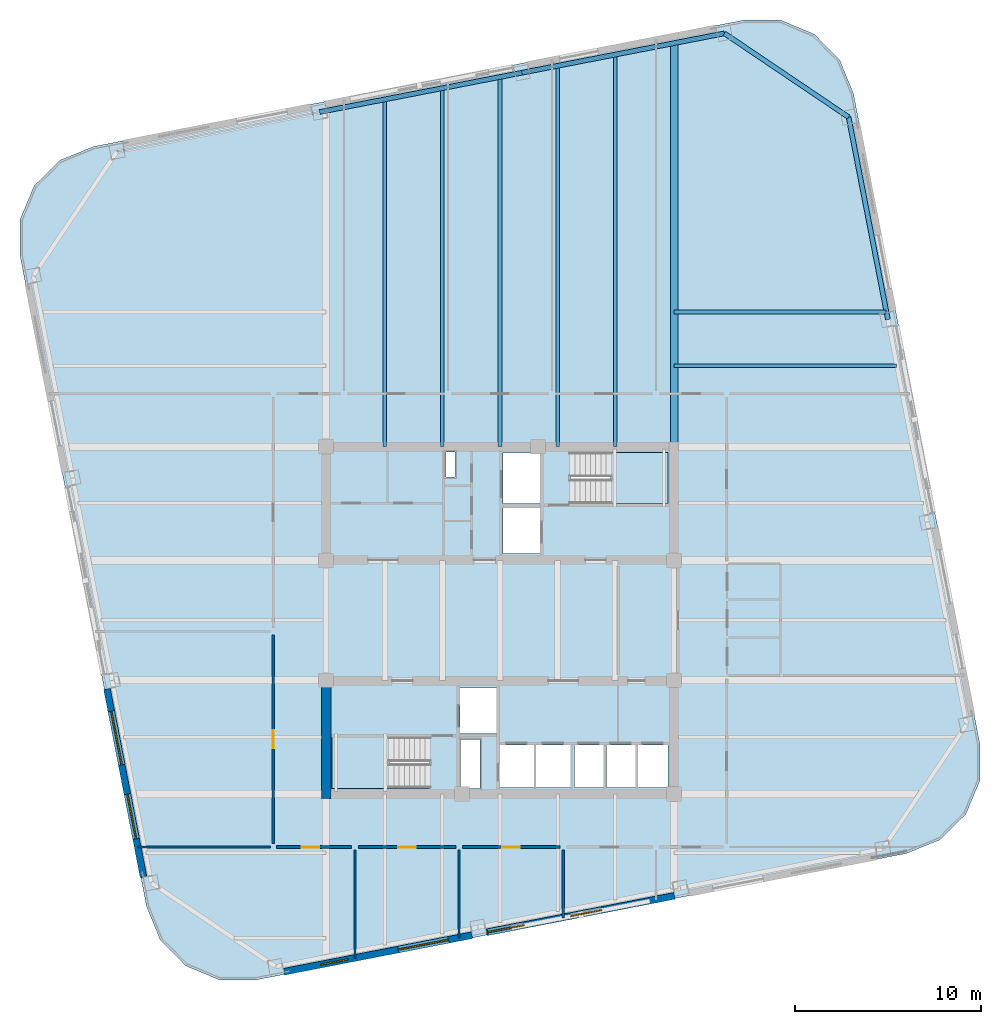
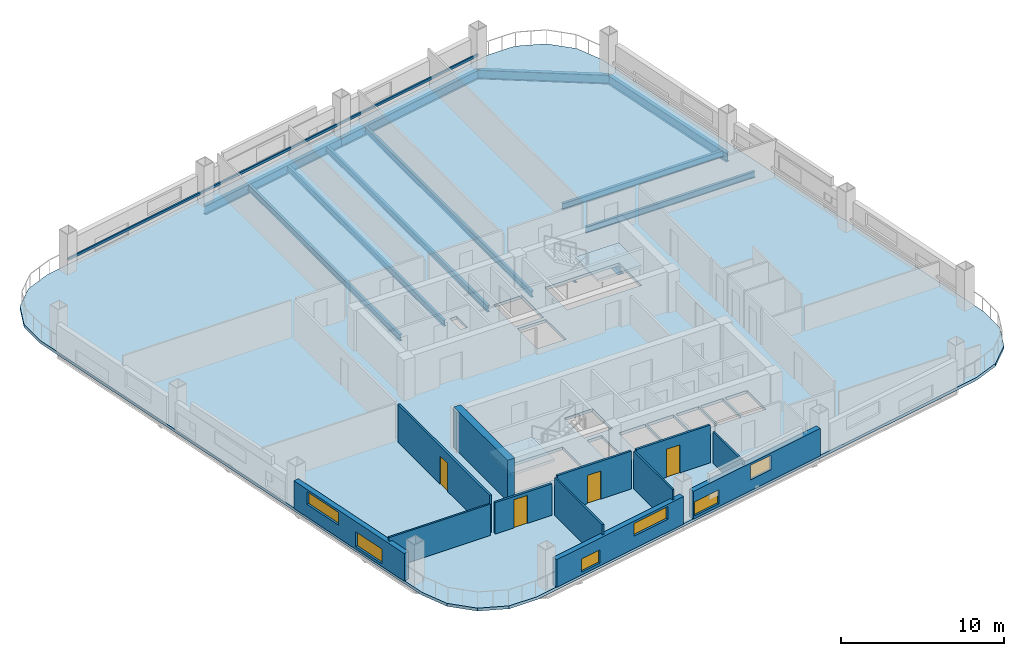
# One storey, part 2 of 9: 12 beams, 12 walls, 6 windows, 4 doors, 3 slabs, 1 member, 10 openings, 2 elements without a shape of their own.
"""IFC4 building model written with IfcOpenShell, lengths in metres."""

from ifc_helpers import new_model, si_unit, direction, frame, frame_2d, origin, origin_2d, place, context, subcontext, project, spatial, polyline, rectangle, hollow_rectangle, i_section, outline, extrude, material, layer, layer_set, material_profile, profile_set, type_object, element, fill, aggregate, save


model = new_model("IFC4")

# Units and contexts
model_context = context("Model", 3, precision=1e-05, world=origin(), true_north=direction((0.0, 1.0)))
body_context = subcontext(model_context, "Body", "Model", "MODEL_VIEW")
ifc_project = project(units=[si_unit("LENGTHUNIT", "METRE"), si_unit("AREAUNIT", "SQUARE_METRE"), si_unit("VOLUMEUNIT", "CUBIC_METRE"), si_unit("PLANEANGLEUNIT", "RADIAN"), si_unit("MASSUNIT", "GRAM", prefix="KILO")], contexts=[model_context])

# Site, building, storey
site_placement = place(None, origin())
site = spatial("IfcSite", under=ifc_project, at=site_placement, CompositionType="ELEMENT")
building_placement = place(site_placement, origin())
building = spatial("IfcBuilding", under=site, at=building_placement, Name="Qhalaya Broadcast Tower", CompositionType="ELEMENT")
storey_placement = place(building_placement, frame((0.0, 0.0, 128.050048828125)))
storey = spatial("IfcBuildingStorey", under=building, at=storey_placement, Name="L37", CompositionType="ELEMENT", Elevation=128.050048828125)

# Beams
ifc_material_1 = material(Name="Structural Steel ASTM A992 Grade 50", Category="steel")
ifc_material_profile_1 = material_profile(ifc_material_1, i_section(OverallWidth=0.19189453125, OverallDepth=0.462890625, WebThickness=0.010498046875, FlangeThickness=0.017578125, at=origin_2d()), Name="W18X60")
ifc_profile_set_1 = profile_set([ifc_material_profile_1], Name="Structural Steel ASTM A992 Grade 50")
beam_type_1 = type_object("IfcBeamType", Name="Composite Floor Joist J03", PredefinedType="JOIST", material=ifc_profile_set_1)
beam_1_placement = place(storey_placement, frame((-6.199951171875, 9.949951171875, -0.45166015625), z_axis=(0.0, 1.0, 0.0), x_axis=(-1.0, 0.0, 0.0)))
element("IfcBeam", 1, at=beam_1_placement, inside=storey, type_object=beam_type_1, Name="L37 J03 L37-JNN1-1", PredefinedType="JOIST", context=body_context, shape_type="SweptSolid", body=[
    extrude(i_section(OverallWidth=0.19189453125, OverallDepth=0.462890625, WebThickness=0.010498046875, FlangeThickness=0.017578125, at=origin_2d()), origin(), (0.0, 0.0, 1.0), 18.6728515625),
])
beam_2_placement = place(storey_placement, frame((-3.10009765625, 9.949951171875, -0.45166015625), z_axis=(0.0, 1.0, 0.0), x_axis=(-1.0, 0.0, 0.0)))
element("IfcBeam", 2, at=beam_2_placement, inside=storey, type_object=beam_type_1, Name="L37 J03 L37-JNN2-1", PredefinedType="JOIST", context=body_context, shape_type="SweptSolid", body=[
    extrude(i_section(OverallWidth=0.19189453125, OverallDepth=0.462890625, WebThickness=0.010498046875, FlangeThickness=0.017578125, at=origin_2d()), origin(), (0.0, 0.0, 1.0), 19.275390625),
])
beam_3_placement = place(storey_placement, frame((0.0, 9.949951171875, -0.45166015625), z_axis=(0.0, 1.0, 0.0), x_axis=(-1.0, 0.0, 0.0)))
element("IfcBeam", 3, at=beam_3_placement, inside=storey, type_object=beam_type_1, Name="L37 J03 L37-JNN3-1", PredefinedType="JOIST", context=body_context, shape_type="SweptSolid", body=[
    extrude(i_section(OverallWidth=0.19189453125, OverallDepth=0.462890625, WebThickness=0.010498046875, FlangeThickness=0.017578125, at=origin_2d()), origin(), (0.0, 0.0, 1.0), 19.8779296875),
])
beam_4_placement = place(storey_placement, frame((3.10009765625, 9.949951171875, -0.45166015625), z_axis=(0.0, 1.0, 0.0), x_axis=(-1.0, 0.0, 0.0)))
element("IfcBeam", 4, at=beam_4_placement, inside=storey, type_object=beam_type_1, Name="L37 J03 L37-JNN4-1", PredefinedType="JOIST", context=body_context, shape_type="SweptSolid", body=[
    extrude(i_section(OverallWidth=0.19189453125, OverallDepth=0.462890625, WebThickness=0.010498046875, FlangeThickness=0.017578125, at=origin_2d()), origin(), (0.0, 0.0, 1.0), 20.480712890625),
])
beam_5_placement = place(storey_placement, frame((6.199951171875, 9.949951171875, -0.45166015625), z_axis=(0.0, 1.0, 0.0), x_axis=(-1.0, 0.0, 0.0)))
element("IfcBeam", 5, at=beam_5_placement, inside=storey, type_object=beam_type_1, Name="L37 J03 L37-JNN5-1", PredefinedType="JOIST", context=body_context, shape_type="SweptSolid", body=[
    extrude(i_section(OverallWidth=0.19189453125, OverallDepth=0.462890625, WebThickness=0.010498046875, FlangeThickness=0.017578125, at=origin_2d()), origin(), (0.0, 0.0, 1.0), 21.083251953125),
])
beam_6_placement = place(storey_placement, frame((9.375, 14.300048828125, -0.45166015625), z_axis=(1.0, 0.0, 0.0), x_axis=(0.0, 1.0, 0.0)))
element("IfcBeam", 6, at=beam_6_placement, inside=storey, type_object=beam_type_1, Name="L37 J03 L37-JWE6E-1", PredefinedType="JOIST", context=body_context, shape_type="SweptSolid", body=[
    extrude(i_section(OverallWidth=0.19189453125, OverallDepth=0.462890625, WebThickness=0.010498046875, FlangeThickness=0.017578125, at=origin_2d()), origin(), (0.0, 0.0, 1.0), 11.969482421875),
])
beam_7_placement = place(storey_placement, frame((9.375, 17.199951171875, -0.45166015625), z_axis=(1.0, 0.0, 0.0), x_axis=(0.0, 1.0, 0.0)))
element("IfcBeam", 7, at=beam_7_placement, inside=storey, type_object=beam_type_1, Name="L37 J03 L37-JWE7E-1", PredefinedType="JOIST", context=body_context, shape_type="SweptSolid", body=[
    extrude(i_section(OverallWidth=0.19189453125, OverallDepth=0.462890625, WebThickness=0.010498046875, FlangeThickness=0.017578125, at=origin_2d()), origin(), (0.0, 0.0, 1.0), 11.40576171875),
])

# Member
ifc_material_2 = material(Name="Fired Architectural Terracotta", Category="masonry")
ifc_material_profile_2 = material_profile(ifc_material_2, hollow_rectangle(XDim=0.110107421875, YDim=0.179931640625, WallThickness=0.01806640625, at=origin_2d()), Name="TB-BAG 110x180x18")
ifc_profile_set_2 = profile_set([ifc_material_profile_2], Name="Fired Architectural Terracotta")
member_type = type_object("IfcMemberType", Name="Fired Terracotta Facade Baguette Member TB1", PredefinedType="USERDEFINED", material=ifc_profile_set_2)
member_placement = place(storey_placement, frame((12.07958984375, 32.1962890625, 0.848876953125), z_axis=(-0.981626873058, -0.190810592185, 0.0), x_axis=(0.190810592185, -0.981626873058, 0.0)))
element("IfcMember", 8, at=member_placement, inside=storey, type_object=member_type, Name="L37 Terracotta Baguette Feature Rail N", ObjectType="BAGUETTE", PredefinedType="USERDEFINED", context=body_context, shape_type="SweptSolid", body=[
    extrude(hollow_rectangle(XDim=0.110107421875, YDim=0.179931640625, WallThickness=0.01806640625, at=origin_2d()), origin(), (0.0, 0.0, 1.0), 33.300048828125),
])

# Beams
ifc_material_profile_3 = material_profile(ifc_material_1, i_section(OverallWidth=0.4189453125, OverallDepth=0.927001953125, WebThickness=0.019287109375, FlangeThickness=0.031982421875, at=origin_2d()), Name="W36X231")
ifc_profile_set_3 = profile_set([ifc_material_profile_3], Name="Structural Steel ASTM A992 Grade 50")
beam_type_2 = type_object("IfcBeamType", Name="Mid Block Primary Girder PG3", PredefinedType="USERDEFINED", material=ifc_profile_set_3)
beam_8_placement = place(storey_placement, frame((9.375, 9.949951171875, -0.68359375), z_axis=(0.0, 1.0, 0.0), x_axis=(-1.0, 0.0, 0.0)))
element("IfcBeam", 9, at=beam_8_placement, inside=storey, type_object=beam_type_2, Name="L37 PG3 L37-PGXN2-1", ObjectType="GIRDER", PredefinedType="USERDEFINED", context=body_context, shape_type="SweptSolid", body=[
    extrude(i_section(OverallWidth=0.4189453125, OverallDepth=0.927001953125, WebThickness=0.019287109375, FlangeThickness=0.031982421875, at=origin_2d()), origin(), (0.0, 0.0, 1.0), 21.7001953125),
])
ifc_material_profile_4 = material_profile(ifc_material_1, i_section(OverallWidth=0.25390625, OverallDepth=0.68310546875, WebThickness=0.012451171875, FlangeThickness=0.01904296875, at=origin_2d()), Name="W27X94")
ifc_profile_set_4 = profile_set([ifc_material_profile_4], Name="Structural Steel ASTM A992 Grade 50")
beam_type_3 = type_object("IfcBeamType", Name="Perimeter Ring Spandrel Beam SP1", PredefinedType="SPANDREL", material=ifc_profile_set_4)
beam_9_placement = place(storey_placement, frame((20.88037109375, 16.79248046875, -0.5615234375), z_axis=(-0.190800781233, 0.98162878008, 0.0), x_axis=(-0.98162878008, -0.190800781233, 0.0)))
element("IfcBeam", 10, at=beam_9_placement, inside=storey, type_object=beam_type_3, Name="L37 SP1 L37-SPR-07", PredefinedType="SPANDREL", context=body_context, shape_type="SweptSolid", body=[
    extrude(i_section(OverallWidth=0.25390625, OverallDepth=0.68310546875, WebThickness=0.012451171875, FlangeThickness=0.01904296875, at=origin_2d()), origin(), (0.0, 0.0, 1.0), 11.10009765625),
])
beam_10_placement = place(storey_placement, frame((18.762451171875, 27.688720703125, -0.5615234375), z_axis=(-0.829042088473, 0.559186208288, 0.0), x_axis=(-0.559186208288, -0.829042088473, 0.0)))
element("IfcBeam", 11, at=beam_10_placement, inside=storey, type_object=beam_type_3, Name="L37 SP1 L37-SPR-08", PredefinedType="SPANDREL", context=body_context, shape_type="SweptSolid", body=[
    extrude(i_section(OverallWidth=0.25390625, OverallDepth=0.68310546875, WebThickness=0.012451171875, FlangeThickness=0.01904296875, at=origin_2d()), origin(), (0.0, 0.0, 1.0), 8.06103515625),
])
beam_11_placement = place(storey_placement, frame((12.07958984375, 32.1962890625, -0.5615234375), z_axis=(-0.98162878008, -0.190800781233, 0.0), x_axis=(0.190800781233, -0.98162878008, 0.0)))
element("IfcBeam", 12, at=beam_11_placement, inside=storey, type_object=beam_type_3, Name="L37 SP1 L37-SPR-09", PredefinedType="SPANDREL", context=body_context, shape_type="SweptSolid", body=[
    extrude(i_section(OverallWidth=0.25390625, OverallDepth=0.68310546875, WebThickness=0.012451171875, FlangeThickness=0.01904296875, at=origin_2d()), origin(), (0.0, 0.0, 1.0), 11.10009765625),
])
beam_12_placement = place(storey_placement, frame((1.183349609375, 30.078369140625, -0.5615234375), z_axis=(-0.981627979352, -0.190804900759, 0.0), x_axis=(0.190804900759, -0.981627979352, 0.0)))
element("IfcBeam", 13, at=beam_12_placement, inside=storey, type_object=beam_type_3, Name="L37 SP1 L37-SPR-10", PredefinedType="SPANDREL", context=body_context, shape_type="SweptSolid", body=[
    extrude(i_section(OverallWidth=0.25390625, OverallDepth=0.68310546875, WebThickness=0.012451171875, FlangeThickness=0.01904296875, at=origin_2d()), origin(), (0.0, 0.0, 1.0), 11.099853515625),
])

# Stair, slab
ifc_material_3 = material(Name="Concrete C40/50", Category="concrete")
stair_type = type_object("IfcStairType", Name="Protected Dogleg Core Stair 3150", PredefinedType="TWO_STRAIGHT_RUN_STAIR", material=ifc_material_3)
stair_1_placement = place(storey_placement, origin())
stair_1 = element("IfcStair", 14, at=stair_1_placement, inside=storey, type_object=stair_type, Name="L37 North Core Exit Stair ST-1", PredefinedType="TWO_STRAIGHT_RUN_STAIR")
ifc_layer_1 = layer(ifc_material_3, 0.199951171875, Name="Concrete C40/50")
ifc_layer_set_1 = layer_set([ifc_layer_1], Name="Concrete C40/50")
slab_type_1 = type_object("IfcSlabType", Name="Stair & Ramp Half-Landing Slab 200", PredefinedType="LANDING", material=ifc_layer_set_1)
slab_1_placement = place(storey_placement, frame((0.0, 0.0, 1.324951171875)))
slab_1 = element("IfcSlab", 15, at=slab_1_placement, type_object=slab_type_1, Name="ST-1 landing 1", PredefinedType="LANDING", context=body_context, shape_type="SweptSolid", body=[
    extrude(outline(polyline([(5.955078125, 6.8798828125), (9.050048828125, 6.8798828125), (9.050048828125, 9.639892578125), (5.955078125, 9.639892578125), (5.955078125, 6.8798828125)])), origin(), (0.0, 0.0, 1.0), 0.199951171875),
])
aggregate(stair_1, [slab_1])

stair_2_placement = place(storey_placement, origin())
stair_2 = element("IfcStair", 16, at=stair_2_placement, inside=storey, type_object=stair_type, Name="L37 South Core Exit Stair ST-2", PredefinedType="TWO_STRAIGHT_RUN_STAIR")
slab_2_placement = place(storey_placement, frame((0.0, 0.0, 1.324951171875)))
slab_2 = element("IfcSlab", 17, at=slab_2_placement, type_object=slab_type_1, Name="ST-2 landing 1", PredefinedType="LANDING", context=body_context, shape_type="SweptSolid", body=[
    extrude(outline(polyline([(-5.955078125, -5.679931640625), (-9.050048828125, -5.679931640625), (-9.050048828125, -8.43994140625), (-5.955078125, -8.43994140625), (-5.955078125, -5.679931640625)])), origin(), (0.0, 0.0, 1.0), 0.199951171875),
])
aggregate(stair_2, [slab_2])

# Slab
ifc_layer_2 = layer(ifc_material_3, 0.219970703125, Name="Concrete C40/50")
ifc_layer_set_2 = layer_set([ifc_layer_2], Name="Concrete C40/50")
slab_type_2 = type_object("IfcSlabType", Name="Tower Composite Floor Slab 220", PredefinedType="FLOOR", material=ifc_layer_set_2)
slab_3_placement = place(storey_placement, frame((0.0, 0.0, -0.219970703125)))
element("IfcSlab", 18, at=slab_3_placement, inside=storey, type_object=slab_type_2, Name="L37 Main Structural Floor Slab", PredefinedType="FLOOR", context=body_context, shape_type="SweptSolid", body=[
    extrude(outline(polyline([(21.882080078125, -11.944091796875), (23.687744140625, -11.20556640625), (25.0732421875, -9.83203125), (25.82763671875, -8.032958984375), (25.836181640625, -6.08203125), (19.024169921875, 28.9619140625), (18.285400390625, 30.767578125), (16.912109375, 32.1533203125), (15.11279296875, 32.90771484375), (13.162109375, 32.916015625), (-21.882080078125, 26.104248046875), (-23.687744140625, 25.365478515625), (-25.0732421875, 23.9921875), (-25.82763671875, 22.19287109375), (-25.836181640625, 20.2421875), (-19.024169921875, -14.802001953125), (-18.285400390625, -16.607666015625), (-16.912109375, -17.9931640625), (-15.11279296875, -18.74755859375), (-13.162109375, -18.756103515625), (21.882080078125, -11.944091796875)]), holes=[polyline([(3.784912109375, 9.639892578125), (9.050048828125, 9.639892578125), (9.050048828125, 6.8798828125), (3.784912109375, 6.8798828125), (3.784912109375, 9.639892578125)]), polyline([(-3.784912109375, -8.43994140625), (-9.050048828125, -8.43994140625), (-9.050048828125, -5.679931640625), (-3.784912109375, -5.679931640625), (-3.784912109375, -8.43994140625)]), polyline([(0.14990234375, 6.64990234375), (2.14990234375, 6.64990234375), (2.14990234375, 4.199951171875), (0.14990234375, 4.199951171875), (0.14990234375, 6.64990234375)]), polyline([(0.14990234375, 9.60009765625), (2.14990234375, 9.60009765625), (2.14990234375, 6.89990234375), (0.14990234375, 6.89990234375), (0.14990234375, 9.60009765625)]), polyline([(-2.14990234375, -3.050048828125), (-0.14990234375, -3.050048828125), (-0.14990234375, -5.5), (-2.14990234375, -5.5), (-2.14990234375, -3.050048828125)]), polyline([(-0.050048828125, -6.10009765625), (1.830078125, -6.10009765625), (1.830078125, -8.39990234375), (-0.050048828125, -8.39990234375), (-0.050048828125, -6.10009765625)]), polyline([(1.949951171875, -6.10009765625), (3.830078125, -6.10009765625), (3.830078125, -8.39990234375), (1.949951171875, -8.39990234375), (1.949951171875, -6.10009765625)]), polyline([(4.0, -6.10009765625), (5.60009765625, -6.10009765625), (5.60009765625, -8.39990234375), (4.0, -8.39990234375), (4.0, -6.10009765625)]), polyline([(5.719970703125, -6.10009765625), (7.320068359375, -6.10009765625), (7.320068359375, -8.39990234375), (5.719970703125, -8.39990234375), (5.719970703125, -6.10009765625)]), polyline([(7.43994140625, -6.10009765625), (9.0400390625, -6.10009765625), (9.0400390625, -8.39990234375), (7.43994140625, -8.39990234375), (7.43994140625, -6.10009765625)]), polyline([(-2.919921875, 9.659912109375), (-2.419921875, 9.659912109375), (-2.419921875, 8.320068359375), (-2.919921875, 8.320068359375), (-2.919921875, 9.659912109375)]), polyline([(-2.1201171875, -5.820068359375), (-1.080078125, -5.820068359375), (-1.080078125, -8.4599609375), (-2.1201171875, -8.4599609375), (-2.1201171875, -5.820068359375)])]), origin(), (0.0, 0.0, 1.0), 0.219970703125),
])

# Wall, opening, door
ifc_material_4 = material(Name="Gypsum Acoustic Partition")
ifc_layer_3 = layer(ifc_material_4, 0.14990234375, Name="Gypsum Acoustic Partition")
ifc_layer_set_3 = layer_set([ifc_layer_3], Name="Gypsum Acoustic Partition")
wall_type_1 = type_object("IfcWallType", Name="Corridor & Tenancy Acoustic Partition 150", PredefinedType="PARTITIONING", material=ifc_layer_set_3)
wall_1_placement = place(storey_placement, frame((-12.02001953125, -11.60009765625, 0.0), z_axis=(0.0, 0.0, 1.0), x_axis=(1.0, 0.0, 0.0)))
wall_1 = element("IfcWall", 19, at=wall_1_placement, inside=storey, type_object=wall_type_1, Name="L37 Partition Wall W-COR-06", PredefinedType="PARTITIONING", context=body_context, shape_type="SweptSolid", body=[
    extrude(rectangle(XDim=4.0400390625, YDim=0.14990234375, at=frame_2d((2.02001953125, 0.0))), origin(), (0.0, 0.0, 1.0), 2.346923828125),
])
opening_1_placement = place(wall_1_placement, frame((1.344970703125, 0.0, 0.0)))
opening_1 = element("IfcOpeningElement", 20, at=opening_1_placement, cuts=wall_1, Name="Opening D10", PredefinedType="OPENING", context=body_context, shape_type="SweptSolid", body=[
    extrude(rectangle(XDim=0.949951171875, YDim=2.10009765625, at=frame_2d((0.47509765625, 1.050048828125))), frame((0.0, 0.0869140625, 0.0), z_axis=(0.0, -1.0, 0.0), x_axis=(1.0, 0.0, 0.0)), (0.0, 0.0, 1.0), 0.173828125),
])
ifc_material_5 = material(Name="Timber Veneer Acoustic Door", Category="wood")
door_type = type_object("IfcDoorType", Name="Cellular Office & Edit Booth Door D10", OperationType="NOTDEFINED", PredefinedType="DOOR", material=ifc_material_5)
door_1_placement = place(opening_1_placement, origin())
door_1 = element("IfcDoor", 21, at=door_1_placement, inside=storey, type_object=door_type, Name="L37 Door D-RM06", OperationType="SINGLE_SWING_RIGHT", OverallHeight=2.10009765625, OverallWidth=0.949951171875, PredefinedType="DOOR", context=body_context, shape_type="SweptSolid", body=[
    extrude(rectangle(XDim=0.949951171875, YDim=2.10009765625, at=frame_2d((0.47509765625, 1.050048828125))), frame((0.0, 0.02490234375, 0.0), z_axis=(0.0, -1.0, 0.0), x_axis=(1.0, 0.0, 0.0)), (0.0, 0.0, 1.0), 0.050048828125),
])
fill(opening_1, door_1)

wall_2_placement = place(storey_placement, frame((-7.6201171875, -11.60009765625, 0.0), z_axis=(0.0, 0.0, 1.0), x_axis=(1.0, 0.0, 0.0)))
wall_2 = element("IfcWall", 22, at=wall_2_placement, inside=storey, type_object=wall_type_1, Name="L37 Partition Wall W-COR-07", PredefinedType="PARTITIONING", context=body_context, shape_type="SweptSolid", body=[
    extrude(rectangle(XDim=5.240234375, YDim=0.14990234375, at=frame_2d((2.6201171875, 0.0))), origin(), (0.0, 0.0, 1.0), 2.829833984375),
])
opening_2_placement = place(wall_2_placement, frame((2.14501953125, 0.0, 0.0)))
opening_2 = element("IfcOpeningElement", 23, at=opening_2_placement, cuts=wall_2, Name="Opening D10", PredefinedType="OPENING", context=body_context, shape_type="SweptSolid", body=[
    extrude(rectangle(XDim=0.949951171875, YDim=2.10009765625, at=frame_2d((0.47509765625, 1.050048828125))), frame((0.0, 0.0869140625, 0.0), z_axis=(0.0, -1.0, 0.0), x_axis=(1.0, 0.0, 0.0)), (0.0, 0.0, 1.0), 0.173828125),
])
door_2_placement = place(opening_2_placement, origin())
door_2 = element("IfcDoor", 24, at=door_2_placement, inside=storey, type_object=door_type, Name="L37 Door D-RM07", OperationType="SINGLE_SWING_LEFT", OverallHeight=2.10009765625, OverallWidth=0.949951171875, PredefinedType="DOOR", context=body_context, shape_type="SweptSolid", body=[
    extrude(rectangle(XDim=0.949951171875, YDim=2.10009765625, at=frame_2d((0.47509765625, 1.050048828125))), frame((0.0, 0.02490234375, 0.0), z_axis=(0.0, -1.0, 0.0), x_axis=(1.0, 0.0, 0.0)), (0.0, 0.0, 1.0), 0.050048828125),
])
fill(opening_2, door_2)

wall_3_placement = place(storey_placement, frame((-2.02001953125, -11.60009765625, 0.0), z_axis=(0.0, 0.0, 1.0), x_axis=(1.0, 0.0, 0.0)))
wall_3 = element("IfcWall", 25, at=wall_3_placement, inside=storey, type_object=wall_type_1, Name="L37 Partition Wall W-COR-08", PredefinedType="PARTITIONING", context=body_context, shape_type="SweptSolid", body=[
    extrude(rectangle(XDim=5.239990234375, YDim=0.14990234375, at=frame_2d((2.6201171875, 0.0))), origin(), (0.0, 0.0, 1.0), 2.829833984375),
])
opening_3_placement = place(wall_3_placement, frame((2.14501953125, 0.0, 0.0)))
opening_3 = element("IfcOpeningElement", 26, at=opening_3_placement, cuts=wall_3, Name="Opening D10", PredefinedType="OPENING", context=body_context, shape_type="SweptSolid", body=[
    extrude(rectangle(XDim=0.949951171875, YDim=2.10009765625, at=frame_2d((0.47509765625, 1.050048828125))), frame((0.0, 0.0869140625, 0.0), z_axis=(0.0, -1.0, 0.0), x_axis=(1.0, 0.0, 0.0)), (0.0, 0.0, 1.0), 0.173828125),
])
door_3_placement = place(opening_3_placement, origin())
door_3 = element("IfcDoor", 27, at=door_3_placement, inside=storey, type_object=door_type, Name="L37 Door D-RM08", OperationType="SINGLE_SWING_RIGHT", OverallHeight=2.10009765625, OverallWidth=0.949951171875, PredefinedType="DOOR", context=body_context, shape_type="SweptSolid", body=[
    extrude(rectangle(XDim=0.949951171875, YDim=2.10009765625, at=frame_2d((0.47509765625, 1.050048828125))), frame((0.0, 0.02490234375, 0.0), z_axis=(0.0, -1.0, 0.0), x_axis=(1.0, 0.0, 0.0)), (0.0, 0.0, 1.0), 0.050048828125),
])
fill(opening_3, door_3)

wall_4_placement = place(storey_placement, frame((-12.199951171875, -11.419921875, 0.0), z_axis=(0.0, 0.0, 1.0), x_axis=(0.0, 1.0, 0.0)))
wall_4 = element("IfcWall", 28, at=wall_4_placement, inside=storey, type_object=wall_type_1, Name="L37 Partition Wall W-COR-11", PredefinedType="PARTITIONING", context=body_context, shape_type="SweptSolid", body=[
    extrude(rectangle(XDim=11.239990234375, YDim=0.14990234375, at=frame_2d((5.6201171875, 0.0))), origin(), (0.0, 0.0, 1.0), 2.829833984375),
])
opening_4_placement = place(wall_4_placement, frame((5.14501953125, 0.0, 0.0)))
opening_4 = element("IfcOpeningElement", 29, at=opening_4_placement, cuts=wall_4, Name="Opening D10", PredefinedType="OPENING", context=body_context, shape_type="SweptSolid", body=[
    extrude(rectangle(XDim=0.949951171875, YDim=2.10009765625, at=frame_2d((0.47509765625, 1.050048828125))), frame((0.0, 0.0869140625, 0.0), z_axis=(0.0, -1.0, 0.0), x_axis=(1.0, 0.0, 0.0)), (0.0, 0.0, 1.0), 0.173828125),
])
door_4_placement = place(opening_4_placement, origin())
door_4 = element("IfcDoor", 30, at=door_4_placement, inside=storey, type_object=door_type, Name="L37 Door D-RM11", OperationType="SINGLE_SWING_LEFT", OverallHeight=2.10009765625, OverallWidth=0.949951171875, PredefinedType="DOOR", context=body_context, shape_type="SweptSolid", body=[
    extrude(rectangle(XDim=0.949951171875, YDim=2.10009765625, at=frame_2d((0.47509765625, 1.050048828125))), frame((0.0, 0.02490234375, 0.0), z_axis=(0.0, -1.0, 0.0), x_axis=(1.0, 0.0, 0.0)), (0.0, 0.0, 1.0), 0.050048828125),
])
fill(opening_4, door_4)

# Wall, openings, windows
ifc_material_6 = material(Name="Precast Concrete C40/50", Category="concrete")
ifc_layer_4 = layer(ifc_material_6, 0.360107421875, Name="Precast Concrete C40/50")
ifc_layer_set_4 = layer_set([ifc_layer_4], Name="Precast Concrete C40/50")
wall_type_2 = type_object("IfcWallType", Name="Insulated Precast Terracotta Exterior Wall 360", PredefinedType="SOLIDWALL", material=ifc_layer_set_4)
wall_5_placement = place(storey_placement, frame((9.388671875, -14.22998046875, 0.0), z_axis=(0.0, 0.0, 1.0), x_axis=(-0.981627477005, -0.190807485147, 0.0)))
wall_5 = element("IfcWall", 31, at=wall_5_placement, inside=storey, type_object=wall_type_2, Name="L37 Exoskeleton Diagrid Infill Wall S2", PredefinedType="SOLIDWALL", context=body_context, shape_type="SweptSolid", body=[
    extrude(rectangle(XDim=10.300048828125, YDim=0.360107421875, at=frame_2d((5.14990234375, 0.0))), origin(), (0.0, 0.0, 1.0), 2.06689453125),
])
opening_5_placement = place(wall_5_placement, frame((3.988037109375, 0.0, 0.800048828125)))
opening_5 = element("IfcOpeningElement", 32, at=opening_5_placement, cuts=wall_5, Name="Opening W11", PredefinedType="OPENING", context=body_context, shape_type="SweptSolid", body=[
    extrude(rectangle(XDim=1.699951171875, YDim=1.10009765625, at=frame_2d((0.85009765625, 0.550048828125))), frame((0.0, 0.192138671875, 0.0), z_axis=(0.0, -1.0, 0.0), x_axis=(1.0, 0.0, 0.0)), (0.0, 0.0, 1.0), 0.384033203125),
])
opening_6_placement = place(wall_5_placement, frame((8.238037109375, 0.0, 0.199951171875)))
opening_6 = element("IfcOpeningElement", 33, at=opening_6_placement, cuts=wall_5, Name="Opening W11", PredefinedType="OPENING", context=body_context, shape_type="SweptSolid", body=[
    extrude(rectangle(XDim=2.0, YDim=1.050048828125, at=frame_2d((1.0, 0.52490234375))), frame((0.0, 0.192138671875, 0.0), z_axis=(0.0, -1.0, 0.0), x_axis=(1.0, 0.0, 0.0)), (0.0, 0.0, 1.0), 0.384033203125),
])
ifc_material_7 = material(Name="Solar-Control Low-E Triple Glazing", Category="glass")
window_type = type_object("IfcWindowType", Name="Odd-Block Diagrid Infill Window W11", PartitioningType="SINGLE_PANEL", PredefinedType="WINDOW", material=ifc_material_7)
window_1_placement = place(opening_5_placement, origin())
window_1 = element("IfcWindow", 34, at=window_1_placement, inside=storey, type_object=window_type, Name="L37 Diagrid Infill Window W11-S3", OverallHeight=1.10009765625, OverallWidth=1.699951171875, PartitioningType="SINGLE_PANEL", PredefinedType="WINDOW", context=body_context, shape_type="SweptSolid", body=[
    extrude(rectangle(XDim=1.699951171875, YDim=1.10009765625, at=frame_2d((0.85009765625, 0.550048828125))), frame((0.0, 0.030029296875, 0.0), z_axis=(0.0, -1.0, 0.0), x_axis=(1.0, 0.0, 0.0)), (0.0, 0.0, 1.0), 0.06005859375),
])
fill(opening_5, window_1)
window_2_placement = place(opening_6_placement, origin())
window_2 = element("IfcWindow", 35, at=window_2_placement, inside=storey, type_object=window_type, Name="L37 Diagrid Infill Window W11-S4", OverallHeight=1.050048828125, OverallWidth=2.0, PartitioningType="SINGLE_PANEL", PredefinedType="WINDOW", context=body_context, shape_type="SweptSolid", body=[
    extrude(rectangle(XDim=2.0, YDim=1.050048828125, at=frame_2d((1.0, 0.52490234375))), frame((0.0, 0.030029296875, 0.0), z_axis=(0.0, -1.0, 0.0), x_axis=(1.0, 0.0, 0.0)), (0.0, 0.0, 1.0), 0.06005859375),
])
fill(opening_6, window_2)

wall_6_placement = place(storey_placement, frame((-1.50732421875, -16.34814453125, 0.0), z_axis=(0.0, 0.0, 1.0), x_axis=(-0.981628941133, -0.190799952646, 0.0)))
wall_6 = element("IfcWall", 36, at=wall_6_placement, inside=storey, type_object=wall_type_2, Name="L37 Exoskeleton Diagrid Infill Wall S3", PredefinedType="SOLIDWALL", context=body_context, shape_type="SweptSolid", body=[
    extrude(rectangle(XDim=10.31201171875, YDim=0.360107421875, at=frame_2d((5.156005859375, 0.0))), origin(), (0.0, 0.0, 1.0), 2.06689453125),
])
opening_7_placement = place(wall_6_placement, frame((1.2880859375, 0.0, 0.949951171875)))
opening_7 = element("IfcOpeningElement", 37, at=opening_7_placement, cuts=wall_6, Name="Opening W11", PredefinedType="OPENING", context=body_context, shape_type="SweptSolid", body=[
    extrude(rectangle(XDim=2.75, YDim=0.949951171875, at=frame_2d((1.375, 0.47509765625))), frame((0.0, 0.192138671875, 0.0), z_axis=(0.0, -1.0, 0.0), x_axis=(1.0, 0.0, 0.0)), (0.0, 0.0, 1.0), 0.384033203125),
])
opening_8_placement = place(wall_6_placement, frame((6.7880859375, 0.0, 0.199951171875)))
opening_8 = element("IfcOpeningElement", 38, at=opening_8_placement, cuts=wall_6, Name="Opening W11", PredefinedType="OPENING", context=body_context, shape_type="SweptSolid", body=[
    extrude(rectangle(XDim=1.5, YDim=1.0, at=frame_2d((0.75, 0.5))), frame((0.0, 0.192138671875, 0.0), z_axis=(0.0, -1.0, 0.0), x_axis=(1.0, 0.0, 0.0)), (0.0, 0.0, 1.0), 0.384033203125),
])
window_3_placement = place(opening_7_placement, origin())
window_3 = element("IfcWindow", 39, at=window_3_placement, inside=storey, type_object=window_type, Name="L37 Diagrid Infill Window W11-S5", OverallHeight=0.949951171875, OverallWidth=2.75, PartitioningType="SINGLE_PANEL", PredefinedType="WINDOW", context=body_context, shape_type="SweptSolid", body=[
    extrude(rectangle(XDim=2.75, YDim=0.949951171875, at=frame_2d((1.375, 0.47509765625))), frame((0.0, 0.030029296875, 0.0), z_axis=(0.0, -1.0, 0.0), x_axis=(1.0, 0.0, 0.0)), (0.0, 0.0, 1.0), 0.06005859375),
])
fill(opening_7, window_3)
window_4_placement = place(opening_8_placement, origin())
window_4 = element("IfcWindow", 40, at=window_4_placement, inside=storey, type_object=window_type, Name="L37 Diagrid Infill Window W11-S6", OverallHeight=1.0, OverallWidth=1.5, PartitioningType="SINGLE_PANEL", PredefinedType="WINDOW", context=body_context, shape_type="SweptSolid", body=[
    extrude(rectangle(XDim=1.5, YDim=1.0, at=frame_2d((0.75, 0.5))), frame((0.0, 0.030029296875, 0.0), z_axis=(0.0, -1.0, 0.0), x_axis=(1.0, 0.0, 0.0)), (0.0, 0.0, 1.0), 0.06005859375),
])
fill(opening_8, window_4)

wall_7_placement = place(storey_placement, frame((-19.189697265625, -13.216552734375, 0.0), z_axis=(0.0, 0.0, 1.0), x_axis=(-0.190822765986, 0.981624506612, 0.0)))
wall_7 = element("IfcWall", 41, at=wall_7_placement, inside=storey, type_object=wall_type_2, Name="L37 Exoskeleton Diagrid Infill Wall W1", PredefinedType="SOLIDWALL", context=body_context, shape_type="SweptSolid", body=[
    extrude(rectangle(XDim=10.31201171875, YDim=0.360107421875, at=frame_2d((5.156005859375, 0.0))), origin(), (0.0, 0.0, 1.0), 2.06689453125),
])
opening_9_placement = place(wall_7_placement, frame((2.10009765625, 0.0, 0.199951171875)))
opening_9 = element("IfcOpeningElement", 42, at=opening_9_placement, cuts=wall_7, Name="Opening W11", PredefinedType="OPENING", context=body_context, shape_type="SweptSolid", body=[
    extrude(rectangle(XDim=2.449951171875, YDim=1.10009765625, at=frame_2d((1.22509765625, 0.550048828125))), frame((0.0, 0.192138671875, 0.0), z_axis=(0.0, -1.0, 0.0), x_axis=(1.0, 0.0, 0.0)), (0.0, 0.0, 1.0), 0.384033203125),
])
opening_10_placement = place(wall_7_placement, frame((6.14990234375, 0.0, 0.949951171875)))
opening_10 = element("IfcOpeningElement", 43, at=opening_10_placement, cuts=wall_7, Name="Opening W11", PredefinedType="OPENING", context=body_context, shape_type="SweptSolid", body=[
    extrude(rectangle(XDim=2.949951171875, YDim=0.949951171875, at=frame_2d((1.47509765625, 0.47509765625))), frame((0.0, 0.192138671875, 0.0), z_axis=(0.0, -1.0, 0.0), x_axis=(1.0, 0.0, 0.0)), (0.0, 0.0, 1.0), 0.384033203125),
])
window_5_placement = place(opening_9_placement, origin())
window_5 = element("IfcWindow", 44, at=window_5_placement, inside=storey, type_object=window_type, Name="L37 Diagrid Infill Window W11-W1", OverallHeight=1.10009765625, OverallWidth=2.449951171875, PartitioningType="SINGLE_PANEL", PredefinedType="WINDOW", context=body_context, shape_type="SweptSolid", body=[
    extrude(rectangle(XDim=2.449951171875, YDim=1.10009765625, at=frame_2d((1.22509765625, 0.550048828125))), frame((0.0, 0.030029296875, 0.0), z_axis=(0.0, -1.0, 0.0), x_axis=(1.0, 0.0, 0.0)), (0.0, 0.0, 1.0), 0.06005859375),
])
fill(opening_9, window_5)
window_6_placement = place(opening_10_placement, origin())
window_6 = element("IfcWindow", 45, at=window_6_placement, inside=storey, type_object=window_type, Name="L37 Diagrid Infill Window W11-W2", OverallHeight=0.949951171875, OverallWidth=2.949951171875, PartitioningType="SINGLE_PANEL", PredefinedType="WINDOW", context=body_context, shape_type="SweptSolid", body=[
    extrude(rectangle(XDim=2.949951171875, YDim=0.949951171875, at=frame_2d((1.47509765625, 0.47509765625))), frame((0.0, 0.030029296875, 0.0), z_axis=(0.0, -1.0, 0.0), x_axis=(1.0, 0.0, 0.0)), (0.0, 0.0, 1.0), 0.06005859375),
])
fill(opening_10, window_6)

# Walls
ifc_material_8 = material(Name="Concrete C50/60", Category="concrete")
ifc_layer_5 = layer(ifc_material_8, 0.5, Name="Concrete C50/60")
ifc_layer_set_5 = layer_set([ifc_layer_5], Name="Concrete C50/60")
wall_type_3 = type_object("IfcWallType", Name="Mid Split-Core Shear Wall 500", PredefinedType="SHEAR", material=ifc_layer_set_5)
wall_8_placement = place(storey_placement, frame((-9.35009765625, -9.0, 0.0), z_axis=(0.0, 0.0, 1.0), x_axis=(0.0, 1.0, 0.0)))
element("IfcWall", 46, at=wall_8_placement, inside=storey, type_object=wall_type_3, Name="L37 Split-Core Shear Wall CW-SW", PredefinedType="SHEAR", context=body_context, shape_type="SweptSolid", body=[
    extrude(rectangle(XDim=6.60009765625, YDim=0.5, at=frame_2d((3.300048828125, 0.0))), origin(), (0.0, 0.0, 1.0), 3.050048828125),
])
ifc_layer_6 = layer(ifc_material_4, 0.1201171875, Name="Gypsum Acoustic Partition")
ifc_layer_set_6 = layer_set([ifc_layer_6], Name="Gypsum Acoustic Partition")
wall_type_4 = type_object("IfcWallType", Name="Office, Booth & Sanitary Partition 120", PredefinedType="PARTITIONING", material=ifc_layer_set_6)
wall_9_placement = place(storey_placement, frame((-19.5244140625, -11.60009765625, 0.0), z_axis=(0.0, 0.0, 1.0), x_axis=(1.0, 0.0, 0.0)))
element("IfcWall", 47, at=wall_9_placement, inside=storey, type_object=wall_type_4, Name="L37 Partition Wall W-BNDW2", PredefinedType="PARTITIONING", context=body_context, shape_type="SweptSolid", body=[
    extrude(rectangle(XDim=7.184326171875, YDim=0.1201171875, at=frame_2d((3.59228515625, 0.0))), origin(), (0.0, 0.0, 1.0), 2.346923828125),
])
wall_10_placement = place(storey_placement, frame((-7.800048828125, -17.591552734375, 0.0), z_axis=(0.0, 0.0, 1.0), x_axis=(0.0, 1.0, 0.0)))
element("IfcWall", 48, at=wall_10_placement, inside=storey, type_object=wall_type_4, Name="L37 Partition Wall W-DIVS1", PredefinedType="PARTITIONING", context=body_context, shape_type="SweptSolid", body=[
    extrude(rectangle(XDim=5.83154296875, YDim=0.1201171875, at=frame_2d((2.915771484375, 0.0))), origin(), (0.0, 0.0, 1.0), 2.829833984375),
])
wall_11_placement = place(storey_placement, frame((-2.199951171875, -16.5029296875, 0.0), z_axis=(0.0, 0.0, 1.0), x_axis=(0.0, 1.0, 0.0)))
element("IfcWall", 49, at=wall_11_placement, inside=storey, type_object=wall_type_4, Name="L37 Partition Wall W-DIVS2", PredefinedType="PARTITIONING", context=body_context, shape_type="SweptSolid", body=[
    extrude(rectangle(XDim=4.742919921875, YDim=0.1201171875, at=frame_2d((2.37158203125, 0.0))), origin(), (0.0, 0.0, 1.0), 2.829833984375),
])
wall_12_placement = place(storey_placement, frame((3.39990234375, -15.41455078125, 0.0), z_axis=(0.0, 0.0, 1.0), x_axis=(0.0, 1.0, 0.0)))
element("IfcWall", 50, at=wall_12_placement, inside=storey, type_object=wall_type_4, Name="L37 Partition Wall W-DIVS3", PredefinedType="PARTITIONING", context=body_context, shape_type="SweptSolid", body=[
    extrude(rectangle(XDim=3.654541015625, YDim=0.1201171875, at=frame_2d((1.8271484375, 0.0))), origin(), (0.0, 0.0, 1.0), 2.346923828125),
])

save(model, "model.ifc")
